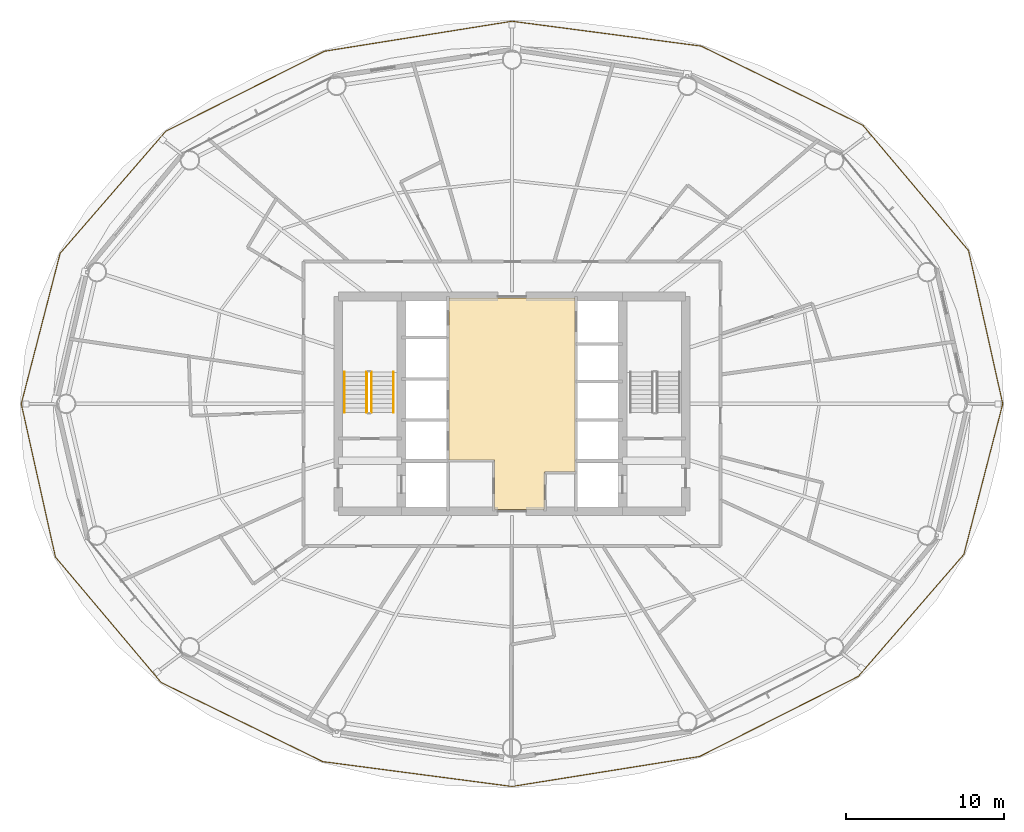
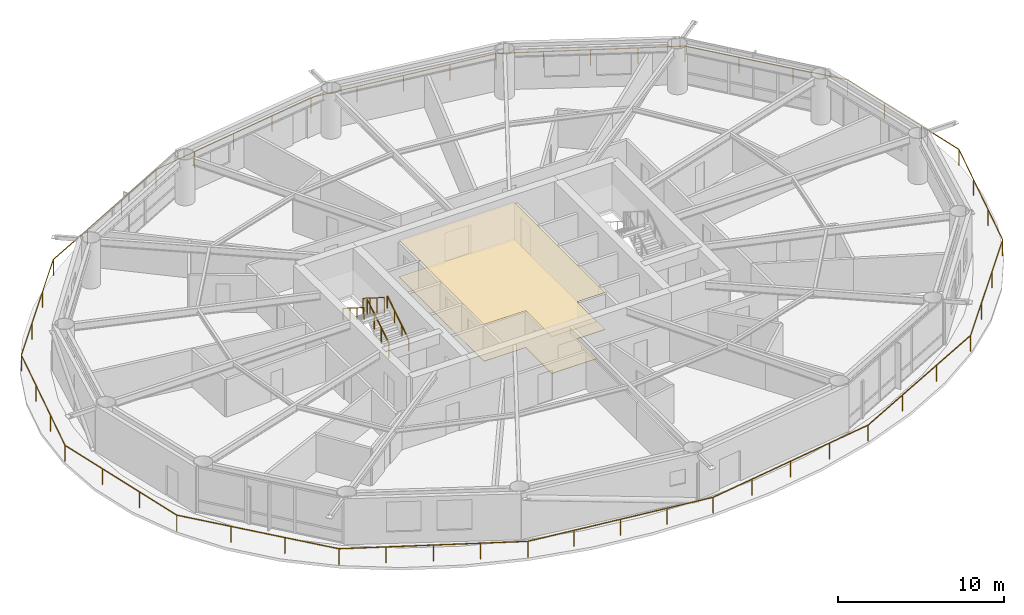
# One storey, part 23 of 24: 5 railings, 2 coverings.
"""IFC4 building model written with IfcOpenShell, lengths in metres."""

import ifcopenshell
import ifcopenshell.guid

model = None  # the IFC model being written
_history = None  # IfcOwnerHistory: only IFC2X3 demands one
_inside = {}  # id of a spatial element -> (the spatial element, [elements in it])
_under = {}  # id of a project, library or spatial element -> (it, [spatial elements below it])
_declared = {}  # id of a project -> (the project, [libraries it declares])
_typed = {}  # id of a type object -> (the type object, [elements of that type])
_made_of = {}  # id of a material, layer set ... -> (it, [elements and type objects made of it])


def new_model(schema):
    """Start an empty IFC model of exactly this schema.

    Asked for "IFC4X3", IfcOpenShell would pick the latest addendum, in which some entities
    have other attributes; the version numbers below select the first issue.
    IFC2X3 requires an IfcOwnerHistory on every rooted entity: one is made here for all.
    """
    global model, _history
    if schema == "IFC4X3":
        model = ifcopenshell.file(schema_version=(4, 3, 0, 0))
    else:
        model = ifcopenshell.file(schema=schema)
    _inside.clear()
    _under.clear()
    _declared.clear()
    _typed.clear()
    _made_of.clear()
    _history = None
    if model.schema == "IFC2X3":
        org = make("IfcOrganization", Name="unknown")
        user = make(
            "IfcPersonAndOrganization",
            ThePerson=make("IfcPerson", FamilyName="unknown"),
            TheOrganization=org,
        )
        app = make(
            "IfcApplication",
            ApplicationDeveloper=org,
            Version="unknown",
            ApplicationFullName="unknown",
            ApplicationIdentifier="unknown",
        )
        _history = make(
            "IfcOwnerHistory",
            OwningUser=user,
            OwningApplication=app,
            ChangeAction="ADDED",
            CreationDate=0,
        )
    return model


def make(cls, **values):
    """One entity of the class cls with the attributes given. An attribute that is None is left unset."""
    return model.create_entity(
        cls, **{name: value for name, value in values.items() if value is not None}
    )


def rooted(cls, **values):
    """An entity with a GlobalId (a new one), such as an element, a storey or a relation."""
    return make(cls, GlobalId=ifcopenshell.guid.new(), OwnerHistory=_history, **values)


def si_unit(unit_type, name, prefix=None):
    """IfcSIUnit, for example si_unit("LENGTHUNIT", "METRE", prefix="MILLI")."""
    return make("IfcSIUnit", UnitType=unit_type, Prefix=prefix, Name=name)


def assignment(units):
    """IfcUnitAssignment: the units of a project."""
    return None if units is None else make("IfcUnitAssignment", Units=units)


def point(xyz):
    """IfcCartesianPoint."""
    return None if xyz is None else make("IfcCartesianPoint", Coordinates=xyz)


def direction(xyz):
    """IfcDirection."""
    return None if xyz is None else make("IfcDirection", DirectionRatios=xyz)


def frame(location, z_axis=None, x_axis=None):
    """IfcAxis2Placement3D, a coordinate frame: its origin and axes. An axis left out is left unset."""
    return make(
        "IfcAxis2Placement3D",
        Location=point(location),
        Axis=direction(z_axis),
        RefDirection=direction(x_axis),
    )


def frame_2d(location, x_axis=None):
    """IfcAxis2Placement2D, a coordinate frame in the plane: its origin and x axis."""
    return make(
        "IfcAxis2Placement2D", Location=point(location), RefDirection=direction(x_axis)
    )


def origin():
    """The frame at (0, 0, 0) with its axes left unset."""
    return frame((0.0, 0.0, 0.0))


def origin_2d():
    """The frame at (0, 0) in the plane with its x axis left unset."""
    return frame_2d((0.0, 0.0))


def place(relative_to, where):
    """IfcLocalPlacement: puts the frame where relative to a parent placement (None: the world)."""
    return make(
        "IfcLocalPlacement", PlacementRelTo=relative_to, RelativePlacement=where
    )


def context(
    kind, dimensions, precision=None, world=None, true_north=None, identifier=None
):
    """IfcGeometricRepresentationContext, for example the 3D "Model" context."""
    return make(
        "IfcGeometricRepresentationContext",
        ContextIdentifier=identifier,
        ContextType=kind,
        CoordinateSpaceDimension=dimensions,
        Precision=precision,
        WorldCoordinateSystem=world,
        TrueNorth=true_north,
    )


def subcontext(parent, identifier, kind, view, scale=None):
    """IfcGeometricRepresentationSubContext, for example "Body" below "Model"."""
    return make(
        "IfcGeometricRepresentationSubContext",
        ContextIdentifier=identifier,
        ContextType=kind,
        ParentContext=parent,
        TargetScale=scale,
        TargetView=view,
    )


def project(units=None, contexts=None):
    """IfcProject with its units and contexts."""
    return rooted(
        "IfcProject",
        Name="project",
        RepresentationContexts=contexts,
        UnitsInContext=assignment(units),
    )


def spatial(cls, under=None, at=None, **own):
    """A site, building, storey or space (cls), placed at a placement, below another one or the project."""
    s = rooted(cls, ObjectPlacement=at, **own)
    if under is not None:
        _under.setdefault(under.id(), (under, []))[1].append(s)
    return s


def polyline(points):
    """IfcPolyline through the points."""
    return make("IfcPolyline", Points=[point(p) for p in points])


def profile(cls, at=None, kind="AREA", **sizes):
    """A parametric profile (cls). Its sizes go by their IFC names, for example OverallWidth=200.0."""
    return make(cls, ProfileType=kind, Position=at, **sizes)


def rectangle(**sizes):
    """IfcRectangleProfileDef."""
    return profile("IfcRectangleProfileDef", **sizes)


def outline(outer, holes=None, kind="AREA"):
    """IfcArbitraryClosedProfileDef: a profile drawn as a closed curve; with holes, ...WithVoids."""
    if holes is None:
        return make("IfcArbitraryClosedProfileDef", ProfileType=kind, OuterCurve=outer)
    return make(
        "IfcArbitraryProfileDefWithVoids",
        ProfileType=kind,
        OuterCurve=outer,
        InnerCurves=holes,
    )


def extrude(swept, where, along, depth):
    """IfcExtrudedAreaSolid: the profile swept, set in the frame where, extruded along a direction by depth."""
    return make(
        "IfcExtrudedAreaSolid",
        SweptArea=swept,
        Position=where,
        ExtrudedDirection=direction(along),
        Depth=depth,
    )


def shape(context_of_items, identifier, shape_type, items):
    """IfcShapeRepresentation: the items that make up one representation, for example the "Body"."""
    return make(
        "IfcShapeRepresentation",
        ContextOfItems=context_of_items,
        RepresentationIdentifier=identifier,
        RepresentationType=shape_type,
        Items=items,
    )


def material(Name=None, Category=None):
    """IfcMaterial."""
    return make("IfcMaterial", Name=Name, Category=Category)


def layer(
    of_material, thickness, ventilated=None, Name=None, Category=None, Priority=None
):
    """IfcMaterialLayer: one layer of a wall or slab, of a material (None: an air gap)."""
    return make(
        "IfcMaterialLayer",
        Material=of_material,
        LayerThickness=thickness,
        IsVentilated=ventilated,
        Name=Name,
        Category=Category,
        Priority=Priority,
    )


def layer_set(layers, Name=None):
    """IfcMaterialLayerSet."""
    return make("IfcMaterialLayerSet", MaterialLayers=layers, LayerSetName=Name)


def made_of(thing, what):
    """Note that an element or type object is made of a material, layer set ...; save() writes the relation."""
    if what is not None:
        _made_of.setdefault(what.id(), (what, []))[1].append(thing)
    return thing


def type_object(cls, material=None, **own):
    """A type object (cls), such as IfcWallType, which elements share."""
    return made_of(rooted(cls, **own), material)


def element(
    cls,
    number,
    at=None,
    inside=None,
    cuts=None,
    type_object=None,
    material=None,
    context=None,
    identifier="Body",
    shape_type=None,
    held_by="IfcProductDefinitionShape",
    body=None,
    shapes=None,
    **own,
):
    """One element of the class cls, such as IfcWall. Its Tag is "e" and its number.

    at: its placement. inside: the storey or other place that contains it. cuts: it is an
    opening in that element (IfcRelVoidsElement). A single representation is given by context,
    identifier, shape_type and body (its items); several are given by shapes. held_by: the class
    of the entity that holds the representations. save() writes the other relations.
    """
    e = rooted(cls, Tag="e%d" % number, ObjectPlacement=at, **own)
    if body is not None:
        shapes = [shape(context, identifier, shape_type, body)]
    if shapes is not None:
        e.Representation = make(held_by, Representations=shapes)
    if inside is not None:
        _inside.setdefault(inside.id(), (inside, []))[1].append(e)
    if cuts is not None:
        rooted(
            "IfcRelVoidsElement", RelatingBuildingElement=cuts, RelatedOpeningElement=e
        )
    if type_object is not None:
        _typed.setdefault(type_object.id(), (type_object, []))[1].append(e)
    return made_of(e, material)


def aggregate(whole, parts):
    """IfcRelAggregates: a whole, such as a stair, and the parts it consists of."""
    return rooted("IfcRelAggregates", RelatingObject=whole, RelatedObjects=parts)


def save(model, path):
    """Write the relations noted so far, then the file.

    IfcRelAggregates (storeys below a building ...), IfcRelContainedInSpatialStructure (elements
    in a storey), IfcRelDefinesByType, IfcRelAssociatesMaterial and IfcRelDeclares: one each for
    every whole, place, type object, material and project.
    """
    for whole, parts in _under.values():
        aggregate(whole, parts)
    for where, things in _inside.values():
        rooted(
            "IfcRelContainedInSpatialStructure",
            RelatedElements=things,
            RelatingStructure=where,
        )
    for kind, things in _typed.values():
        rooted("IfcRelDefinesByType", RelatedObjects=things, RelatingType=kind)
    for what, things in _made_of.values():
        rooted("IfcRelAssociatesMaterial", RelatedObjects=things, RelatingMaterial=what)
    for by, libraries in _declared.values():
        rooted("IfcRelDeclares", RelatingContext=by, RelatedDefinitions=libraries)
    model.write(path)


model = new_model("IFC4")

# Units and contexts
model_context = context("Model", 3, precision=1e-05, world=origin(), true_north=direction((0.0, 1.0)))
body_context = subcontext(model_context, "Body", "Model", "MODEL_VIEW")
ifc_project = project(units=[si_unit("LENGTHUNIT", "METRE"), si_unit("AREAUNIT", "SQUARE_METRE"), si_unit("VOLUMEUNIT", "CUBIC_METRE"), si_unit("PLANEANGLEUNIT", "RADIAN"), si_unit("MASSUNIT", "GRAM", prefix="KILO")], contexts=[model_context])

# Site, building, storey
site_placement = place(None, origin())
site = spatial("IfcSite", under=ifc_project, at=site_placement, CompositionType="ELEMENT")
building_placement = place(site_placement, origin())
building = spatial("IfcBuilding", under=site, at=building_placement, Name="Sarneth Arch Tower", CompositionType="ELEMENT")
storey_placement = place(building_placement, frame((0.0, 0.0, 116.39990234375)))
storey = spatial("IfcBuildingStorey", under=building, at=storey_placement, Name="L29", CompositionType="ELEMENT", Elevation=116.39990234375)

# Coverings
ifc_material_1 = material(Name="Perforated acoustic gypsum ceiling board")
ifc_layer_1 = layer(ifc_material_1, 0.02490234375)
ifc_layer_set_1 = layer_set([ifc_layer_1], Name="Perforated acoustic gypsum ceiling board")
covering_type_1 = type_object("IfcCoveringType", Name="COV-CEIL-GYP", PredefinedType="CEILING", material=ifc_layer_set_1)
covering_1_placement = place(storey_placement, frame((0.0, 0.0, 2.710205078125)))
element("IfcCovering", 1, at=covering_1_placement, inside=storey, type_object=covering_type_1, Name="L29 Lift lobby acoustic ceiling", PredefinedType="CEILING", context=body_context, shape_type="SweptSolid", body=[
    extrude(outline(polyline([(52.0, 37.699951171875), (50.050048828125, 37.699951171875), (50.050048828125, 35.300048828125), (46.89990234375, 35.300048828125), (46.89990234375, 38.449951171875), (44.0, 38.449951171875), (44.0, 48.699951171875), (52.0, 48.699951171875), (52.0, 37.699951171875)])), origin(), (0.0, 0.0, 1.0), 0.02978515625),
])
ifc_material_2 = material(Name="Honed granite stone flooring", Category="masonry")
ifc_layer_2 = layer(ifc_material_2, 0.030029296875)
ifc_layer_set_2 = layer_set([ifc_layer_2], Name="Honed granite stone flooring")
covering_type_2 = type_object("IfcCoveringType", Name="COV-FLR-STONE", PredefinedType="FLOORING", material=ifc_layer_set_2)
covering_2_placement = place(storey_placement, origin())
element("IfcCovering", 2, at=covering_2_placement, inside=storey, type_object=covering_type_2, Name="L29 Lift lobby granite flooring", PredefinedType="FLOORING", context=body_context, shape_type="SweptSolid", body=[
    extrude(outline(polyline([(52.0, 37.699951171875), (50.050048828125, 37.699951171875), (50.050048828125, 35.300048828125), (46.89990234375, 35.300048828125), (46.89990234375, 38.449951171875), (44.0, 38.449951171875), (44.0, 48.699951171875), (52.0, 48.699951171875), (52.0, 37.699951171875)])), origin(), (0.0, 0.0, 1.0), 0.030029296875),
])

# Railings
ifc_material_3 = material(Name="Laminated structural glass infill with Stainless Steel 316 top rail and posts", Category="steel")
railing_type_1 = type_object("IfcRailingType", Name="RAIL-BALC-1200", PredefinedType="BALUSTRADE", material=ifc_material_3)
railing_1_placement = place(storey_placement, frame((79.0751953125, 42.0, 0.0)))
element("IfcRailing", 3, at=railing_1_placement, inside=storey, type_object=railing_type_1, Name="L29 Helical balcony glass balustrade", PredefinedType="BALUSTRADE", context=body_context, shape_type="SweptSolid", body=[
    extrude(rectangle(XDim=0.048095703125, YDim=0.048095703125, at=origin_2d()), frame((0.0, 0.0, 1.17578125), z_axis=(-0.217726226176, 0.976009882345, 0.0), x_axis=(-0.976009882345, -0.217726226176, 0.0)), (0.0, 0.0, 1.0), 9.939453125),
    extrude(rectangle(XDim=0.048095703125, YDim=0.048095703125, at=origin_2d()), frame((-2.1640625, 9.700927734375, 1.17578125), z_axis=(-0.644352876278, 0.7647282987, 0.0), x_axis=(-0.7647282987, -0.644352876278, 0.0)), (0.0, 0.0, 1.0), 10.38623046875),
    extrude(rectangle(XDim=0.048095703125, YDim=0.048095703125, at=origin_2d()), frame((-8.8564453125, 17.6435546875, 1.17578125), z_axis=(-0.898231471312, 0.439522722899, 0.0), x_axis=(-0.439522722899, -0.898231471312, 0.0)), (0.0, 0.0, 1.0), 11.401611328125),
    extrude(rectangle(XDim=0.048095703125, YDim=0.048095703125, at=origin_2d()), frame((-19.09765625, 22.65478515625, 1.17578125), z_axis=(-0.991488929353, 0.130191024926, 0.0), x_axis=(-0.130191024926, -0.991488929353, 0.0)), (0.0, 0.0, 1.0), 12.080322265625),
    extrude(rectangle(XDim=0.048095703125, YDim=0.048095703125, at=origin_2d()), frame((-31.0751953125, 24.2275390625, 1.17578125), z_axis=(-0.987458234715, -0.157880444304, 0.0), x_axis=(0.157880444304, -0.987458234715, 0.0)), (0.0, 0.0, 1.0), 12.026123046875),
    extrude(rectangle(XDim=0.048095703125, YDim=0.048095703125, at=origin_2d()), frame((-42.950439453125, 22.328857421875, 1.17578125), z_axis=(-0.892825693759, -0.450402354084, 0.0), x_axis=(0.450402354084, -0.892825693759, 0.0)), (0.0, 0.0, 1.0), 11.260009765625),
    extrude(rectangle(XDim=0.048095703125, YDim=0.048095703125, at=origin_2d()), frame((-53.003662109375, 17.25732421875, 1.17578125), z_axis=(-0.654449019945, -0.756106130311, 0.0), x_axis=(0.756106130311, -0.654449019945, 0.0)), (0.0, 0.0, 1.0), 10.214111328125),
    extrude(rectangle(XDim=0.048095703125, YDim=0.048095703125, at=origin_2d()), frame((-59.688232421875, 9.534423828125, 1.17578125), z_axis=(-0.250036230565, -0.968236481137, 0.0), x_axis=(0.968236481137, -0.250036230565, 0.0)), (0.0, 0.0, 1.0), 9.84716796875),
    extrude(rectangle(XDim=0.048095703125, YDim=0.048095703125, at=origin_2d()), frame((-62.150390625, 0.0, 1.17578125), z_axis=(0.217726226176, -0.976009882345, 0.0), x_axis=(0.976009882345, 0.217726226176, 0.0)), (0.0, 0.0, 1.0), 9.939453125),
    extrude(rectangle(XDim=0.048095703125, YDim=0.048095703125, at=origin_2d()), frame((-59.986328125, -9.700927734375, 1.17578125), z_axis=(0.644352876278, -0.7647282987, 0.0), x_axis=(0.7647282987, 0.644352876278, 0.0)), (0.0, 0.0, 1.0), 10.38623046875),
    extrude(rectangle(XDim=0.048095703125, YDim=0.048095703125, at=origin_2d()), frame((-53.2939453125, -17.6435546875, 1.17578125), z_axis=(0.898231471312, -0.439522722899, 0.0), x_axis=(0.439522722899, 0.898231471312, 0.0)), (0.0, 0.0, 1.0), 11.401611328125),
    extrude(rectangle(XDim=0.048095703125, YDim=0.048095703125, at=origin_2d()), frame((-43.052734375, -22.65478515625, 1.17578125), z_axis=(0.991488929353, -0.130191024926, 0.0), x_axis=(0.130191024926, 0.991488929353, 0.0)), (0.0, 0.0, 1.0), 12.080322265625),
    extrude(rectangle(XDim=0.048095703125, YDim=0.048095703125, at=origin_2d()), frame((-31.0751953125, -24.2275390625, 1.17578125), z_axis=(0.987458234715, 0.157880444304, 0.0), x_axis=(-0.157880444304, 0.987458234715, 0.0)), (0.0, 0.0, 1.0), 12.026123046875),
    extrude(rectangle(XDim=0.048095703125, YDim=0.048095703125, at=origin_2d()), frame((-19.199951171875, -22.328857421875, 1.17578125), z_axis=(0.892825693759, 0.450402354084, 0.0), x_axis=(-0.450402354084, 0.892825693759, 0.0)), (0.0, 0.0, 1.0), 11.260009765625),
    extrude(rectangle(XDim=0.048095703125, YDim=0.048095703125, at=origin_2d()), frame((-9.146728515625, -17.25732421875, 1.17578125), z_axis=(0.654449019945, 0.756106130311, 0.0), x_axis=(-0.756106130311, 0.654449019945, 0.0)), (0.0, 0.0, 1.0), 10.214111328125),
    extrude(rectangle(XDim=0.048095703125, YDim=0.048095703125, at=origin_2d()), frame((-2.462158203125, -9.534423828125, 1.17578125), z_axis=(0.250036230565, 0.968236481137, 0.0), x_axis=(-0.968236481137, 0.250036230565, 0.0)), (0.0, 0.0, 1.0), 9.84716796875),
    extrude(rectangle(XDim=0.0419921875, YDim=0.0419921875, at=origin_2d()), origin(), (0.0, 0.0, 1.0), 1.15185546875),
    extrude(rectangle(XDim=0.0419921875, YDim=0.0419921875, at=origin_2d()), frame((-0.721435546875, 3.233642578125, 0.0)), (0.0, 0.0, 1.0), 1.15185546875),
    extrude(rectangle(XDim=0.0419921875, YDim=0.0419921875, at=origin_2d()), frame((-1.442626953125, 6.46728515625, 0.0)), (0.0, 0.0, 1.0), 1.15185546875),
    extrude(rectangle(XDim=0.0419921875, YDim=0.0419921875, at=origin_2d()), frame((-2.1640625, 9.700927734375, 0.0)), (0.0, 0.0, 1.0), 1.15185546875),
    extrude(rectangle(XDim=0.0419921875, YDim=0.0419921875, at=origin_2d()), frame((-4.394775390625, 12.348388671875, 0.0)), (0.0, 0.0, 1.0), 1.15185546875),
    extrude(rectangle(XDim=0.0419921875, YDim=0.0419921875, at=origin_2d()), frame((-6.625732421875, 14.99609375, 0.0)), (0.0, 0.0, 1.0), 1.15185546875),
    extrude(rectangle(XDim=0.0419921875, YDim=0.0419921875, at=origin_2d()), frame((-8.8564453125, 17.6435546875, 0.0)), (0.0, 0.0, 1.0), 1.15185546875),
    extrude(rectangle(XDim=0.0419921875, YDim=0.0419921875, at=origin_2d()), frame((-11.416748046875, 18.896484375, 0.0)), (0.0, 0.0, 1.0), 1.15185546875),
    extrude(rectangle(XDim=0.0419921875, YDim=0.0419921875, at=origin_2d()), frame((-13.97705078125, 20.149169921875, 0.0)), (0.0, 0.0, 1.0), 1.15185546875),
    extrude(rectangle(XDim=0.0419921875, YDim=0.0419921875, at=origin_2d()), frame((-16.537353515625, 21.40185546875, 0.0)), (0.0, 0.0, 1.0), 1.15185546875),
    extrude(rectangle(XDim=0.0419921875, YDim=0.0419921875, at=origin_2d()), frame((-19.09765625, 22.65478515625, 0.0)), (0.0, 0.0, 1.0), 1.15185546875),
    extrude(rectangle(XDim=0.0419921875, YDim=0.0419921875, at=origin_2d()), frame((-22.092041015625, 23.0478515625, 0.0)), (0.0, 0.0, 1.0), 1.15185546875),
    extrude(rectangle(XDim=0.0419921875, YDim=0.0419921875, at=origin_2d()), frame((-25.08642578125, 23.441162109375, 0.0)), (0.0, 0.0, 1.0), 1.15185546875),
    extrude(rectangle(XDim=0.0419921875, YDim=0.0419921875, at=origin_2d()), frame((-28.080810546875, 23.83447265625, 0.0)), (0.0, 0.0, 1.0), 1.15185546875),
    extrude(rectangle(XDim=0.0419921875, YDim=0.0419921875, at=origin_2d()), frame((-31.0751953125, 24.2275390625, 0.0)), (0.0, 0.0, 1.0), 1.15185546875),
    extrude(rectangle(XDim=0.0419921875, YDim=0.0419921875, at=origin_2d()), frame((-34.0439453125, 23.7529296875, 0.0)), (0.0, 0.0, 1.0), 1.15185546875),
    extrude(rectangle(XDim=0.0419921875, YDim=0.0419921875, at=origin_2d()), frame((-37.0126953125, 23.2783203125, 0.0)), (0.0, 0.0, 1.0), 1.15185546875),
    extrude(rectangle(XDim=0.0419921875, YDim=0.0419921875, at=origin_2d()), frame((-39.981689453125, 22.803466796875, 0.0)), (0.0, 0.0, 1.0), 1.15185546875),
    extrude(rectangle(XDim=0.0419921875, YDim=0.0419921875, at=origin_2d()), frame((-42.950439453125, 22.328857421875, 0.0)), (0.0, 0.0, 1.0), 1.15185546875),
    extrude(rectangle(XDim=0.0419921875, YDim=0.0419921875, at=origin_2d()), frame((-46.301513671875, 20.638427734375, 0.0)), (0.0, 0.0, 1.0), 1.15185546875),
    extrude(rectangle(XDim=0.0419921875, YDim=0.0419921875, at=origin_2d()), frame((-49.652587890625, 18.94775390625, 0.0)), (0.0, 0.0, 1.0), 1.15185546875),
    extrude(rectangle(XDim=0.0419921875, YDim=0.0419921875, at=origin_2d()), frame((-53.003662109375, 17.25732421875, 0.0)), (0.0, 0.0, 1.0), 1.15185546875),
    extrude(rectangle(XDim=0.0419921875, YDim=0.0419921875, at=origin_2d()), frame((-55.23193359375, 14.68310546875, 0.0)), (0.0, 0.0, 1.0), 1.15185546875),
    extrude(rectangle(XDim=0.0419921875, YDim=0.0419921875, at=origin_2d()), frame((-57.4599609375, 12.108642578125, 0.0)), (0.0, 0.0, 1.0), 1.15185546875),
    extrude(rectangle(XDim=0.0419921875, YDim=0.0419921875, at=origin_2d()), frame((-59.688232421875, 9.534423828125, 0.0)), (0.0, 0.0, 1.0), 1.15185546875),
    extrude(rectangle(XDim=0.0419921875, YDim=0.0419921875, at=origin_2d()), frame((-60.509033203125, 6.356201171875, 0.0)), (0.0, 0.0, 1.0), 1.15185546875),
    extrude(rectangle(XDim=0.0419921875, YDim=0.0419921875, at=origin_2d()), frame((-61.32958984375, 3.17822265625, 0.0)), (0.0, 0.0, 1.0), 1.15185546875),
    extrude(rectangle(XDim=0.0419921875, YDim=0.0419921875, at=origin_2d()), frame((-62.150390625, 0.0, 0.0)), (0.0, 0.0, 1.0), 1.15185546875),
    extrude(rectangle(XDim=0.0419921875, YDim=0.0419921875, at=origin_2d()), frame((-61.428955078125, -3.233642578125, 0.0)), (0.0, 0.0, 1.0), 1.15185546875),
    extrude(rectangle(XDim=0.0419921875, YDim=0.0419921875, at=origin_2d()), frame((-60.707763671875, -6.46728515625, 0.0)), (0.0, 0.0, 1.0), 1.15185546875),
    extrude(rectangle(XDim=0.0419921875, YDim=0.0419921875, at=origin_2d()), frame((-59.986328125, -9.700927734375, 0.0)), (0.0, 0.0, 1.0), 1.15185546875),
    extrude(rectangle(XDim=0.0419921875, YDim=0.0419921875, at=origin_2d()), frame((-57.755615234375, -12.348388671875, 0.0)), (0.0, 0.0, 1.0), 1.15185546875),
    extrude(rectangle(XDim=0.0419921875, YDim=0.0419921875, at=origin_2d()), frame((-55.524658203125, -14.99609375, 0.0)), (0.0, 0.0, 1.0), 1.15185546875),
    extrude(rectangle(XDim=0.0419921875, YDim=0.0419921875, at=origin_2d()), frame((-53.2939453125, -17.6435546875, 0.0)), (0.0, 0.0, 1.0), 1.15185546875),
    extrude(rectangle(XDim=0.0419921875, YDim=0.0419921875, at=origin_2d()), frame((-50.733642578125, -18.896484375, 0.0)), (0.0, 0.0, 1.0), 1.15185546875),
    extrude(rectangle(XDim=0.0419921875, YDim=0.0419921875, at=origin_2d()), frame((-48.17333984375, -20.149169921875, 0.0)), (0.0, 0.0, 1.0), 1.15185546875),
    extrude(rectangle(XDim=0.0419921875, YDim=0.0419921875, at=origin_2d()), frame((-45.613037109375, -21.40185546875, 0.0)), (0.0, 0.0, 1.0), 1.15185546875),
    extrude(rectangle(XDim=0.0419921875, YDim=0.0419921875, at=origin_2d()), frame((-43.052734375, -22.65478515625, 0.0)), (0.0, 0.0, 1.0), 1.15185546875),
    extrude(rectangle(XDim=0.0419921875, YDim=0.0419921875, at=origin_2d()), frame((-40.058349609375, -23.0478515625, 0.0)), (0.0, 0.0, 1.0), 1.15185546875),
    extrude(rectangle(XDim=0.0419921875, YDim=0.0419921875, at=origin_2d()), frame((-37.06396484375, -23.441162109375, 0.0)), (0.0, 0.0, 1.0), 1.15185546875),
    extrude(rectangle(XDim=0.0419921875, YDim=0.0419921875, at=origin_2d()), frame((-34.069580078125, -23.83447265625, 0.0)), (0.0, 0.0, 1.0), 1.15185546875),
    extrude(rectangle(XDim=0.0419921875, YDim=0.0419921875, at=origin_2d()), frame((-31.0751953125, -24.2275390625, 0.0)), (0.0, 0.0, 1.0), 1.15185546875),
    extrude(rectangle(XDim=0.0419921875, YDim=0.0419921875, at=origin_2d()), frame((-28.1064453125, -23.7529296875, 0.0)), (0.0, 0.0, 1.0), 1.15185546875),
    extrude(rectangle(XDim=0.0419921875, YDim=0.0419921875, at=origin_2d()), frame((-25.1376953125, -23.2783203125, 0.0)), (0.0, 0.0, 1.0), 1.15185546875),
    extrude(rectangle(XDim=0.0419921875, YDim=0.0419921875, at=origin_2d()), frame((-22.168701171875, -22.803466796875, 0.0)), (0.0, 0.0, 1.0), 1.15185546875),
    extrude(rectangle(XDim=0.0419921875, YDim=0.0419921875, at=origin_2d()), frame((-19.199951171875, -22.328857421875, 0.0)), (0.0, 0.0, 1.0), 1.15185546875),
    extrude(rectangle(XDim=0.0419921875, YDim=0.0419921875, at=origin_2d()), frame((-15.848876953125, -20.638427734375, 0.0)), (0.0, 0.0, 1.0), 1.15185546875),
    extrude(rectangle(XDim=0.0419921875, YDim=0.0419921875, at=origin_2d()), frame((-12.497802734375, -18.94775390625, 0.0)), (0.0, 0.0, 1.0), 1.15185546875),
    extrude(rectangle(XDim=0.0419921875, YDim=0.0419921875, at=origin_2d()), frame((-9.146728515625, -17.25732421875, 0.0)), (0.0, 0.0, 1.0), 1.15185546875),
    extrude(rectangle(XDim=0.0419921875, YDim=0.0419921875, at=origin_2d()), frame((-6.91845703125, -14.68310546875, 0.0)), (0.0, 0.0, 1.0), 1.15185546875),
    extrude(rectangle(XDim=0.0419921875, YDim=0.0419921875, at=origin_2d()), frame((-4.6904296875, -12.108642578125, 0.0)), (0.0, 0.0, 1.0), 1.15185546875),
    extrude(rectangle(XDim=0.0419921875, YDim=0.0419921875, at=origin_2d()), frame((-2.462158203125, -9.534423828125, 0.0)), (0.0, 0.0, 1.0), 1.15185546875),
    extrude(rectangle(XDim=0.0419921875, YDim=0.0419921875, at=origin_2d()), frame((-1.641357421875, -6.356201171875, 0.0)), (0.0, 0.0, 1.0), 1.15185546875),
    extrude(rectangle(XDim=0.0419921875, YDim=0.0419921875, at=origin_2d()), frame((-0.82080078125, -3.17822265625, 0.0)), (0.0, 0.0, 1.0), 1.15185546875),
])
ifc_material_4 = material(Name="Brushed Stainless Steel 304 tubular handrail", Category="steel")
railing_type_2 = type_object("IfcRailingType", Name="RAIL-HANDRAIL-900", PredefinedType="HANDRAIL", material=ifc_material_4)
railing_2_placement = place(storey_placement, frame((40.5, 41.449951171875, 0.18017578125)))
element("IfcRailing", 4, at=railing_2_placement, inside=storey, type_object=railing_type_2, Name="L29 ST-1 stair handrail 1", PredefinedType="HANDRAIL", context=body_context, shape_type="SweptSolid", body=[
    extrude(rectangle(XDim=0.048095703125, YDim=0.048095703125, at=origin_2d()), frame((0.0, 0.0, 0.8759765625), z_axis=(0.0, 0.845502289212, 0.533971796014), x_axis=(-1.0, 0.0, 0.0)), (0.0, 0.0, 1.0), 3.03369140625),
    extrude(rectangle(XDim=0.0419921875, YDim=0.0419921875, at=origin_2d()), origin(), (0.0, 0.0, 1.0), 0.851806640625),
    extrude(rectangle(XDim=0.0419921875, YDim=0.0419921875, at=origin_2d()), frame((0.0, 0.85498046875, 0.5400390625)), (0.0, 0.0, 1.0), 0.851806640625),
    extrude(rectangle(XDim=0.0419921875, YDim=0.0419921875, at=origin_2d()), frame((0.0, 1.7099609375, 1.079833984375)), (0.0, 0.0, 1.0), 0.851806640625),
    extrude(rectangle(XDim=0.0419921875, YDim=0.0419921875, at=origin_2d()), frame((0.0, 2.56494140625, 1.619873046875)), (0.0, 0.0, 1.0), 0.851806640625),
])
railing_3_placement = place(storey_placement, frame((37.39990234375, 44.014892578125, 1.97998046875)))
element("IfcRailing", 5, at=railing_3_placement, inside=storey, type_object=railing_type_2, Name="L29 ST-1 stair handrail 2", PredefinedType="HANDRAIL", context=body_context, shape_type="SweptSolid", body=[
    extrude(rectangle(XDim=0.048095703125, YDim=0.048095703125, at=origin_2d()), frame((0.0, 0.0, 0.8759765625), z_axis=(0.0, -0.845465955043, 0.534029323973), x_axis=(1.0, 0.0, 0.0)), (0.0, 0.0, 1.0), 3.03369140625),
    extrude(rectangle(XDim=0.0419921875, YDim=0.0419921875, at=origin_2d()), origin(), (0.0, 0.0, 1.0), 0.851806640625),
    extrude(rectangle(XDim=0.0419921875, YDim=0.0419921875, at=origin_2d()), frame((0.0, -0.85498046875, 0.5400390625)), (0.0, 0.0, 1.0), 0.851806640625),
    extrude(rectangle(XDim=0.0419921875, YDim=0.0419921875, at=origin_2d()), frame((0.0, -1.7099609375, 1.080078125)), (0.0, 0.0, 1.0), 0.851806640625),
    extrude(rectangle(XDim=0.0419921875, YDim=0.0419921875, at=origin_2d()), frame((0.0, -2.56494140625, 1.6201171875)), (0.0, 0.0, 1.0), 0.851806640625),
])
ifc_material_5 = material(Name="Painted Steel S275 stair well guard", Category="steel")
railing_type_3 = type_object("IfcRailingType", Name="RAIL-STAIR-GUARD", PredefinedType="GUARDRAIL", material=ifc_material_5)
railing_4_placement = place(storey_placement, frame((39.10009765625, 41.449951171875, 0.18017578125)))
element("IfcRailing", 6, at=railing_4_placement, inside=storey, type_object=railing_type_3, Name="L29 ST-1 stair guard 1", PredefinedType="GUARDRAIL", context=body_context, shape_type="SweptSolid", body=[
    extrude(rectangle(XDim=0.048095703125, YDim=0.048095703125, at=origin_2d()), frame((0.0, 0.0, 1.1259765625), z_axis=(0.0, 0.845502289212, 0.533971796014), x_axis=(-1.0, 0.0, 0.0)), (0.0, 0.0, 1.0), 3.03369140625),
    extrude(rectangle(XDim=0.0419921875, YDim=0.0419921875, at=origin_2d()), origin(), (0.0, 0.0, 1.0), 1.101806640625),
    extrude(rectangle(XDim=0.0419921875, YDim=0.0419921875, at=origin_2d()), frame((0.0, 0.85498046875, 0.5400390625)), (0.0, 0.0, 1.0), 1.101806640625),
    extrude(rectangle(XDim=0.0419921875, YDim=0.0419921875, at=origin_2d()), frame((0.0, 1.7099609375, 1.079833984375)), (0.0, 0.0, 1.0), 1.101806640625),
    extrude(rectangle(XDim=0.0419921875, YDim=0.0419921875, at=origin_2d()), frame((0.0, 2.56494140625, 1.619873046875)), (0.0, 0.0, 1.0), 1.101806640625),
])
railing_5_placement = place(storey_placement, frame((38.800048828125, 44.014892578125, 1.97998046875)))
element("IfcRailing", 7, at=railing_5_placement, inside=storey, type_object=railing_type_3, Name="L29 ST-1 stair guard 3", PredefinedType="GUARDRAIL", context=body_context, shape_type="SweptSolid", body=[
    extrude(rectangle(XDim=0.048095703125, YDim=0.048095703125, at=origin_2d()), frame((0.0, 0.0, 1.1259765625), z_axis=(0.0, -0.845465955043, 0.534029323973), x_axis=(1.0, 0.0, 0.0)), (0.0, 0.0, 1.0), 3.03369140625),
    extrude(rectangle(XDim=0.0419921875, YDim=0.0419921875, at=origin_2d()), origin(), (0.0, 0.0, 1.0), 1.101806640625),
    extrude(rectangle(XDim=0.0419921875, YDim=0.0419921875, at=origin_2d()), frame((0.0, -0.85498046875, 0.5400390625)), (0.0, 0.0, 1.0), 1.101806640625),
    extrude(rectangle(XDim=0.0419921875, YDim=0.0419921875, at=origin_2d()), frame((0.0, -1.7099609375, 1.080078125)), (0.0, 0.0, 1.0), 1.101806640625),
    extrude(rectangle(XDim=0.0419921875, YDim=0.0419921875, at=origin_2d()), frame((0.0, -2.56494140625, 1.6201171875)), (0.0, 0.0, 1.0), 1.101806640625),
])

save(model, "model.ifc")
